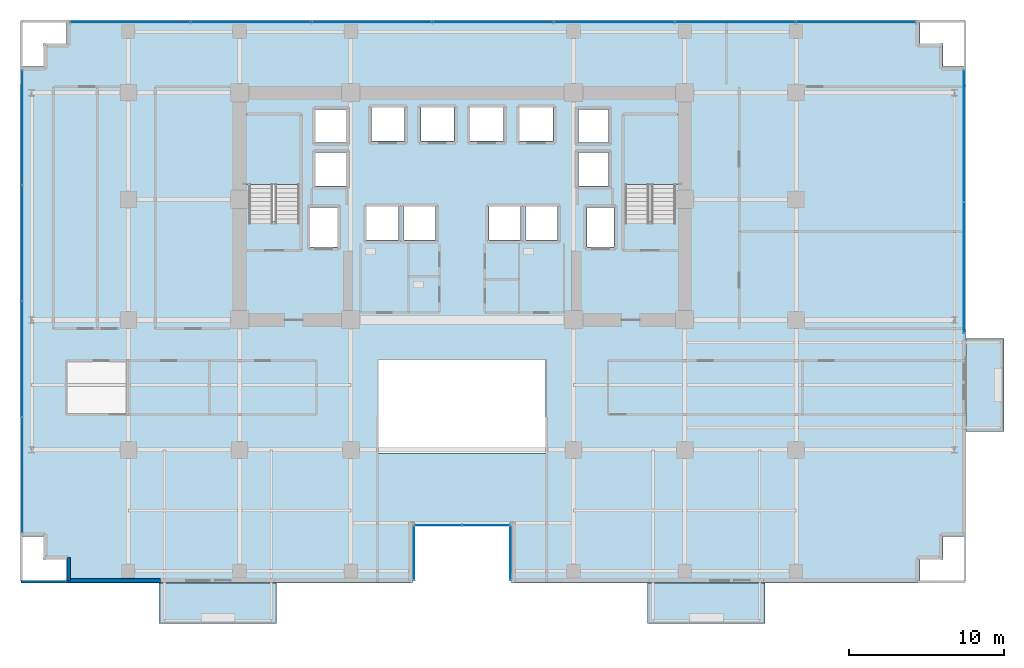
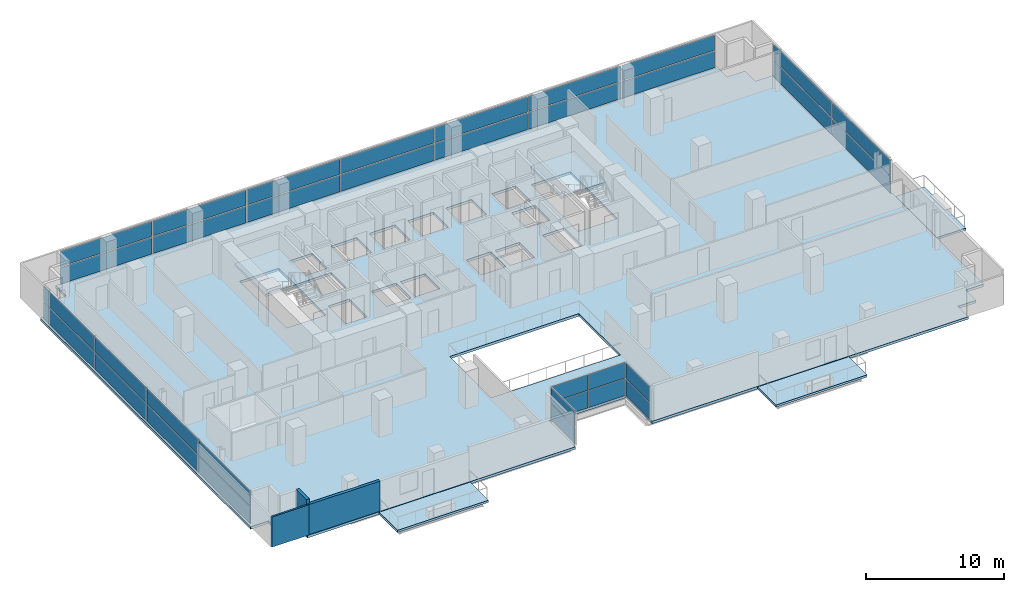
# One storey, part 18 of 26: 34 plates, 6 slabs, 3 walls, 8 elements without a shape of their own.
"""IFC4 building model written with IfcOpenShell, lengths in metres."""

import ifcopenshell
import ifcopenshell.guid

model = None  # the IFC model being written
_history = None  # IfcOwnerHistory: only IFC2X3 demands one
_inside = {}  # id of a spatial element -> (the spatial element, [elements in it])
_under = {}  # id of a project, library or spatial element -> (it, [spatial elements below it])
_declared = {}  # id of a project -> (the project, [libraries it declares])
_typed = {}  # id of a type object -> (the type object, [elements of that type])
_made_of = {}  # id of a material, layer set ... -> (it, [elements and type objects made of it])


def new_model(schema):
    """Start an empty IFC model of exactly this schema.

    Asked for "IFC4X3", IfcOpenShell would pick the latest addendum, in which some entities
    have other attributes; the version numbers below select the first issue.
    IFC2X3 requires an IfcOwnerHistory on every rooted entity: one is made here for all.
    """
    global model, _history
    if schema == "IFC4X3":
        model = ifcopenshell.file(schema_version=(4, 3, 0, 0))
    else:
        model = ifcopenshell.file(schema=schema)
    _inside.clear()
    _under.clear()
    _declared.clear()
    _typed.clear()
    _made_of.clear()
    _history = None
    if model.schema == "IFC2X3":
        org = make("IfcOrganization", Name="unknown")
        user = make(
            "IfcPersonAndOrganization",
            ThePerson=make("IfcPerson", FamilyName="unknown"),
            TheOrganization=org,
        )
        app = make(
            "IfcApplication",
            ApplicationDeveloper=org,
            Version="unknown",
            ApplicationFullName="unknown",
            ApplicationIdentifier="unknown",
        )
        _history = make(
            "IfcOwnerHistory",
            OwningUser=user,
            OwningApplication=app,
            ChangeAction="ADDED",
            CreationDate=0,
        )
    return model


def make(cls, **values):
    """One entity of the class cls with the attributes given. An attribute that is None is left unset."""
    return model.create_entity(
        cls, **{name: value for name, value in values.items() if value is not None}
    )


def rooted(cls, **values):
    """An entity with a GlobalId (a new one), such as an element, a storey or a relation."""
    return make(cls, GlobalId=ifcopenshell.guid.new(), OwnerHistory=_history, **values)


def si_unit(unit_type, name, prefix=None):
    """IfcSIUnit, for example si_unit("LENGTHUNIT", "METRE", prefix="MILLI")."""
    return make("IfcSIUnit", UnitType=unit_type, Prefix=prefix, Name=name)


def assignment(units):
    """IfcUnitAssignment: the units of a project."""
    return None if units is None else make("IfcUnitAssignment", Units=units)


def point(xyz):
    """IfcCartesianPoint."""
    return None if xyz is None else make("IfcCartesianPoint", Coordinates=xyz)


def direction(xyz):
    """IfcDirection."""
    return None if xyz is None else make("IfcDirection", DirectionRatios=xyz)


def frame(location, z_axis=None, x_axis=None):
    """IfcAxis2Placement3D, a coordinate frame: its origin and axes. An axis left out is left unset."""
    return make(
        "IfcAxis2Placement3D",
        Location=point(location),
        Axis=direction(z_axis),
        RefDirection=direction(x_axis),
    )


def frame_2d(location, x_axis=None):
    """IfcAxis2Placement2D, a coordinate frame in the plane: its origin and x axis."""
    return make(
        "IfcAxis2Placement2D", Location=point(location), RefDirection=direction(x_axis)
    )


def origin():
    """The frame at (0, 0, 0) with its axes left unset."""
    return frame((0.0, 0.0, 0.0))


def origin_2d():
    """The frame at (0, 0) in the plane with its x axis left unset."""
    return frame_2d((0.0, 0.0))


def place(relative_to, where):
    """IfcLocalPlacement: puts the frame where relative to a parent placement (None: the world)."""
    return make(
        "IfcLocalPlacement", PlacementRelTo=relative_to, RelativePlacement=where
    )


def context(
    kind, dimensions, precision=None, world=None, true_north=None, identifier=None
):
    """IfcGeometricRepresentationContext, for example the 3D "Model" context."""
    return make(
        "IfcGeometricRepresentationContext",
        ContextIdentifier=identifier,
        ContextType=kind,
        CoordinateSpaceDimension=dimensions,
        Precision=precision,
        WorldCoordinateSystem=world,
        TrueNorth=true_north,
    )


def subcontext(parent, identifier, kind, view, scale=None):
    """IfcGeometricRepresentationSubContext, for example "Body" below "Model"."""
    return make(
        "IfcGeometricRepresentationSubContext",
        ContextIdentifier=identifier,
        ContextType=kind,
        ParentContext=parent,
        TargetScale=scale,
        TargetView=view,
    )


def project(units=None, contexts=None):
    """IfcProject with its units and contexts."""
    return rooted(
        "IfcProject",
        Name="project",
        RepresentationContexts=contexts,
        UnitsInContext=assignment(units),
    )


def spatial(cls, under=None, at=None, **own):
    """A site, building, storey or space (cls), placed at a placement, below another one or the project."""
    s = rooted(cls, ObjectPlacement=at, **own)
    if under is not None:
        _under.setdefault(under.id(), (under, []))[1].append(s)
    return s


def polyline(points):
    """IfcPolyline through the points."""
    return make("IfcPolyline", Points=[point(p) for p in points])


def profile(cls, at=None, kind="AREA", **sizes):
    """A parametric profile (cls). Its sizes go by their IFC names, for example OverallWidth=200.0."""
    return make(cls, ProfileType=kind, Position=at, **sizes)


def rectangle(**sizes):
    """IfcRectangleProfileDef."""
    return profile("IfcRectangleProfileDef", **sizes)


def outline(outer, holes=None, kind="AREA"):
    """IfcArbitraryClosedProfileDef: a profile drawn as a closed curve; with holes, ...WithVoids."""
    if holes is None:
        return make("IfcArbitraryClosedProfileDef", ProfileType=kind, OuterCurve=outer)
    return make(
        "IfcArbitraryProfileDefWithVoids",
        ProfileType=kind,
        OuterCurve=outer,
        InnerCurves=holes,
    )


def extrude(swept, where, along, depth):
    """IfcExtrudedAreaSolid: the profile swept, set in the frame where, extruded along a direction by depth."""
    return make(
        "IfcExtrudedAreaSolid",
        SweptArea=swept,
        Position=where,
        ExtrudedDirection=direction(along),
        Depth=depth,
    )


def shape(context_of_items, identifier, shape_type, items):
    """IfcShapeRepresentation: the items that make up one representation, for example the "Body"."""
    return make(
        "IfcShapeRepresentation",
        ContextOfItems=context_of_items,
        RepresentationIdentifier=identifier,
        RepresentationType=shape_type,
        Items=items,
    )


def source(mapping_origin, context_of_items, identifier, shape_type, items):
    """IfcRepresentationMap: a shape defined once, which mapped items show again and again."""
    return make(
        "IfcRepresentationMap",
        MappingOrigin=mapping_origin,
        MappedRepresentation=shape(context_of_items, identifier, shape_type, items),
    )


def transform(
    local_origin,
    x_axis=None,
    y_axis=None,
    z_axis=None,
    scale=None,
    scale2=None,
    scale3=None,
    uniform=True,
):
    """IfcCartesianTransformationOperator3D, or its non-uniform kind. x_axis, y_axis, z_axis: its Axis1, 2, 3."""
    if uniform:
        return make(
            "IfcCartesianTransformationOperator3D",
            Axis1=direction(x_axis),
            Axis2=direction(y_axis),
            LocalOrigin=point(local_origin),
            Scale=scale,
            Axis3=direction(z_axis),
        )
    return make(
        "IfcCartesianTransformationOperator3DnonUniform",
        Axis1=direction(x_axis),
        Axis2=direction(y_axis),
        LocalOrigin=point(local_origin),
        Scale=scale,
        Axis3=direction(z_axis),
        Scale2=scale2,
        Scale3=scale3,
    )


def mapped(mapping_source, mapping_target):
    """IfcMappedItem: shows the shape of a source again, moved by a transform."""
    return make(
        "IfcMappedItem", MappingSource=mapping_source, MappingTarget=mapping_target
    )


def material(Name=None, Category=None):
    """IfcMaterial."""
    return make("IfcMaterial", Name=Name, Category=Category)


def layer(
    of_material, thickness, ventilated=None, Name=None, Category=None, Priority=None
):
    """IfcMaterialLayer: one layer of a wall or slab, of a material (None: an air gap)."""
    return make(
        "IfcMaterialLayer",
        Material=of_material,
        LayerThickness=thickness,
        IsVentilated=ventilated,
        Name=Name,
        Category=Category,
        Priority=Priority,
    )


def layer_set(layers, Name=None):
    """IfcMaterialLayerSet."""
    return make("IfcMaterialLayerSet", MaterialLayers=layers, LayerSetName=Name)


def made_of(thing, what):
    """Note that an element or type object is made of a material, layer set ...; save() writes the relation."""
    if what is not None:
        _made_of.setdefault(what.id(), (what, []))[1].append(thing)
    return thing


def type_object(cls, material=None, **own):
    """A type object (cls), such as IfcWallType, which elements share."""
    return made_of(rooted(cls, **own), material)


def element(
    cls,
    number,
    at=None,
    inside=None,
    cuts=None,
    type_object=None,
    material=None,
    context=None,
    identifier="Body",
    shape_type=None,
    held_by="IfcProductDefinitionShape",
    body=None,
    shapes=None,
    **own,
):
    """One element of the class cls, such as IfcWall. Its Tag is "e" and its number.

    at: its placement. inside: the storey or other place that contains it. cuts: it is an
    opening in that element (IfcRelVoidsElement). A single representation is given by context,
    identifier, shape_type and body (its items); several are given by shapes. held_by: the class
    of the entity that holds the representations. save() writes the other relations.
    """
    e = rooted(cls, Tag="e%d" % number, ObjectPlacement=at, **own)
    if body is not None:
        shapes = [shape(context, identifier, shape_type, body)]
    if shapes is not None:
        e.Representation = make(held_by, Representations=shapes)
    if inside is not None:
        _inside.setdefault(inside.id(), (inside, []))[1].append(e)
    if cuts is not None:
        rooted(
            "IfcRelVoidsElement", RelatingBuildingElement=cuts, RelatedOpeningElement=e
        )
    if type_object is not None:
        _typed.setdefault(type_object.id(), (type_object, []))[1].append(e)
    return made_of(e, material)


def aggregate(whole, parts):
    """IfcRelAggregates: a whole, such as a stair, and the parts it consists of."""
    return rooted("IfcRelAggregates", RelatingObject=whole, RelatedObjects=parts)


def save(model, path):
    """Write the relations noted so far, then the file.

    IfcRelAggregates (storeys below a building ...), IfcRelContainedInSpatialStructure (elements
    in a storey), IfcRelDefinesByType, IfcRelAssociatesMaterial and IfcRelDeclares: one each for
    every whole, place, type object, material and project.
    """
    for whole, parts in _under.values():
        aggregate(whole, parts)
    for where, things in _inside.values():
        rooted(
            "IfcRelContainedInSpatialStructure",
            RelatedElements=things,
            RelatingStructure=where,
        )
    for kind, things in _typed.values():
        rooted("IfcRelDefinesByType", RelatedObjects=things, RelatingType=kind)
    for what, things in _made_of.values():
        rooted("IfcRelAssociatesMaterial", RelatedObjects=things, RelatingMaterial=what)
    for by, libraries in _declared.values():
        rooted("IfcRelDeclares", RelatingContext=by, RelatedDefinitions=libraries)
    model.write(path)


model = new_model("IFC4")

# Units and contexts
model_context = context("Model", 3, precision=1e-05, world=origin(), true_north=direction((0.0, 1.0)))
body_context = subcontext(model_context, "Body", "Model", "MODEL_VIEW")
ifc_project = project(units=[si_unit("LENGTHUNIT", "METRE"), si_unit("AREAUNIT", "SQUARE_METRE"), si_unit("VOLUMEUNIT", "CUBIC_METRE"), si_unit("PLANEANGLEUNIT", "RADIAN"), si_unit("MASSUNIT", "GRAM", prefix="KILO")], contexts=[model_context])

# Site, building, storey
site_placement = place(None, origin())
site = spatial("IfcSite", under=ifc_project, at=site_placement, CompositionType="ELEMENT")
building_placement = place(site_placement, origin())
building = spatial("IfcBuilding", under=site, at=building_placement, Name="Zarnakvel Exchange Tower", CompositionType="ELEMENT")
storey_placement = place(building_placement, frame((0.0, 0.0, 63.699951171875)))
storey = spatial("IfcBuildingStorey", under=building, at=storey_placement, Name="L17", CompositionType="ELEMENT", Elevation=63.699951171875)

# Stair, slab
ifc_material_1 = material(Name="Concrete C40/50", Category="concrete")
stair_type = type_object("IfcStairType", Name="STR-01", PredefinedType="HALF_TURN_STAIR", material=ifc_material_1)
stair_1_placement = place(storey_placement, origin())
stair_1 = element("IfcStair", 1, at=stair_1_placement, inside=storey, type_object=stair_type, Name="L17 Protected Core Exit Stair ST-01", PredefinedType="HALF_TURN_STAIR")
ifc_layer_1 = layer(ifc_material_1, 0.199951171875)
ifc_layer_set_1 = layer_set([ifc_layer_1], Name="Concrete C40/50")
slab_type_1 = type_object("IfcSlabType", Name="LDG-01", PredefinedType="LANDING", material=ifc_layer_set_1)
slab_1_placement = place(storey_placement, frame((0.0, 0.0, 1.449951171875)))
slab_1 = element("IfcSlab", 2, at=slab_1_placement, type_object=slab_type_1, Name="ST-01 landing 1", PredefinedType="LANDING", context=body_context, shape_type="SweptSolid", body=[
    extrude(outline(polyline([(-14.18994140625, 7.570068359375), (-10.4599609375, 7.570068359375), (-10.4599609375, 12.080078125), (-14.18994140625, 12.080078125), (-14.18994140625, 7.570068359375)])), origin(), (0.0, 0.0, 1.0), 0.2001953125),
])
aggregate(stair_1, [slab_1])

stair_2_placement = place(storey_placement, origin())
stair_2 = element("IfcStair", 3, at=stair_2_placement, inside=storey, type_object=stair_type, Name="L17 Protected Core Exit Stair ST-02", PredefinedType="HALF_TURN_STAIR")
slab_2_placement = place(storey_placement, frame((0.0, 0.0, 1.449951171875)))
slab_2 = element("IfcSlab", 4, at=slab_2_placement, type_object=slab_type_1, Name="ST-02 landing 1", PredefinedType="LANDING", context=body_context, shape_type="SweptSolid", body=[
    extrude(outline(polyline([(10.4599609375, 7.570068359375), (14.18994140625, 7.570068359375), (14.18994140625, 12.080078125), (10.4599609375, 12.080078125), (10.4599609375, 7.570068359375)])), origin(), (0.0, 0.0, 1.0), 0.2001953125),
])
aggregate(stair_2, [slab_2])

# Slabs
ifc_layer_2 = layer(ifc_material_1, 0.22509765625)
ifc_layer_set_2 = layer_set([ifc_layer_2], Name="Concrete C40/50")
slab_type_2 = type_object("IfcSlabType", Name="SL-04", PredefinedType="FLOOR", material=ifc_layer_set_2)
slab_3_placement = place(storey_placement, frame((0.0, 0.0, -0.224853515625)))
element("IfcSlab", 5, at=slab_3_placement, inside=storey, type_object=slab_type_2, Name="L17 Primary Structural Floor Slab", PredefinedType="FLOOR", context=body_context, shape_type="SweptSolid", body=[
    extrude(outline(polyline([(-28.60009765625, -15.199951171875), (-27.10009765625, -15.199951171875), (-27.10009765625, -16.699951171875), (-25.60009765625, -16.699951171875), (-25.60009765625, -18.199951171875), (-3.199951171875, -18.199951171875), (-3.199951171875, -14.39990234375), (3.199951171875, -14.39990234375), (3.199951171875, -18.199951171875), (29.60009765625, -18.199951171875), (29.60009765625, -16.699951171875), (31.10009765625, -16.699951171875), (31.10009765625, -15.199951171875), (32.60009765625, -15.199951171875), (32.60009765625, 15.199951171875), (31.10009765625, 15.199951171875), (31.10009765625, 16.699951171875), (29.60009765625, 16.699951171875), (29.60009765625, 18.199951171875), (-25.60009765625, 18.199951171875), (-25.60009765625, 16.699951171875), (-27.10009765625, 16.699951171875), (-27.10009765625, 15.199951171875), (-28.60009765625, 15.199951171875), (-28.60009765625, -15.199951171875)]), holes=[polyline([(-5.39990234375, -9.800048828125), (5.39990234375, -9.800048828125), (5.39990234375, -3.800048828125), (-5.39990234375, -3.800048828125), (-5.39990234375, -9.800048828125)]), polyline([(-13.800048828125, 5.2099609375), (-10.5400390625, 5.2099609375), (-10.5400390625, 12.0), (-13.800048828125, 12.0), (-13.800048828125, 5.2099609375)]), polyline([(10.5400390625, 5.2099609375), (13.800048828125, 5.2099609375), (13.800048828125, 12.0), (10.5400390625, 12.0), (10.5400390625, 5.2099609375)]), polyline([(-9.830078125, 3.52001953125), (-8.070068359375, 3.52001953125), (-8.070068359375, 6.080078125), (-9.830078125, 6.080078125), (-9.830078125, 3.52001953125)]), polyline([(8.070068359375, 3.52001953125), (9.830078125, 3.52001953125), (9.830078125, 6.080078125), (8.070068359375, 6.080078125), (8.070068359375, 3.52001953125)]), polyline([(-5.8798828125, 10.3701171875), (-3.719970703125, 10.3701171875), (-3.719970703125, 12.530029296875), (-5.8798828125, 12.530029296875), (-5.8798828125, 10.3701171875)]), polyline([(-2.679931640625, 10.3701171875), (-0.52001953125, 10.3701171875), (-0.52001953125, 12.530029296875), (-2.679931640625, 12.530029296875), (-2.679931640625, 10.3701171875)]), polyline([(0.52001953125, 10.3701171875), (2.679931640625, 10.3701171875), (2.679931640625, 12.530029296875), (0.52001953125, 12.530029296875), (0.52001953125, 10.3701171875)]), polyline([(3.719970703125, 10.3701171875), (5.8798828125, 10.3701171875), (5.8798828125, 12.530029296875), (3.719970703125, 12.530029296875), (3.719970703125, 10.3701171875)]), polyline([(-6.179931640625, 3.969970703125), (-4.1201171875, 3.969970703125), (-4.1201171875, 6.1298828125), (-6.179931640625, 6.1298828125), (-6.179931640625, 3.969970703125)]), polyline([(-3.780029296875, 3.969970703125), (-1.719970703125, 3.969970703125), (-1.719970703125, 6.1298828125), (-3.780029296875, 6.1298828125), (-3.780029296875, 3.969970703125)]), polyline([(1.719970703125, 3.969970703125), (3.780029296875, 3.969970703125), (3.780029296875, 6.1298828125), (1.719970703125, 6.1298828125), (1.719970703125, 3.969970703125)]), polyline([(4.1201171875, 3.969970703125), (6.179931640625, 3.969970703125), (6.179931640625, 6.1298828125), (4.1201171875, 6.1298828125), (4.1201171875, 3.969970703125)]), polyline([(-9.47998046875, 7.469970703125), (-7.52001953125, 7.469970703125), (-7.52001953125, 9.6298828125), (-9.47998046875, 9.6298828125), (-9.47998046875, 7.469970703125)]), polyline([(-9.47998046875, 10.27001953125), (-7.52001953125, 10.27001953125), (-7.52001953125, 12.429931640625), (-9.47998046875, 12.429931640625), (-9.47998046875, 10.27001953125)]), polyline([(7.52001953125, 7.469970703125), (9.47998046875, 7.469970703125), (9.47998046875, 9.6298828125), (7.52001953125, 9.6298828125), (7.52001953125, 7.469970703125)]), polyline([(7.52001953125, 10.27001953125), (9.47998046875, 10.27001953125), (9.47998046875, 12.429931640625), (7.52001953125, 12.429931640625), (7.52001953125, 10.27001953125)])]), origin(), (0.0, 0.0, 1.0), 0.224853515625),
])
ifc_layer_3 = layer(ifc_material_1, 0.18994140625)
ifc_layer_set_3 = layer_set([ifc_layer_3], Name="Concrete C40/50")
slab_type_3 = type_object("IfcSlabType", Name="SL-08", PredefinedType="USERDEFINED", material=ifc_layer_set_3)
slab_4_placement = place(storey_placement, frame((0.0, 0.0, -0.224853515625)))
element("IfcSlab", 6, at=slab_4_placement, inside=storey, type_object=slab_type_3, Name="L17 Planted Loggia Balcony Slab BAL-L17-SW", ObjectType="BALCONY", PredefinedType="USERDEFINED", context=body_context, shape_type="SweptSolid", body=[
    extrude(outline(polyline([(-19.60009765625, -20.85009765625), (-12.0, -20.85009765625), (-12.0, -18.199951171875), (-19.60009765625, -18.199951171875), (-19.60009765625, -20.85009765625)])), origin(), (0.0, 0.0, 1.0), 0.18994140625),
])
slab_5_placement = place(storey_placement, frame((0.0, 0.0, -0.224853515625)))
element("IfcSlab", 7, at=slab_5_placement, inside=storey, type_object=slab_type_3, Name="L17 Planted Loggia Balcony Slab BAL-L17-SE", ObjectType="BALCONY", PredefinedType="USERDEFINED", context=body_context, shape_type="SweptSolid", body=[
    extrude(outline(polyline([(12.0, -20.85009765625), (19.60009765625, -20.85009765625), (19.60009765625, -18.199951171875), (12.0, -18.199951171875), (12.0, -20.85009765625)])), origin(), (0.0, 0.0, 1.0), 0.18994140625),
])
slab_6_placement = place(storey_placement, frame((0.0, 0.0, -0.224853515625)))
element("IfcSlab", 8, at=slab_6_placement, inside=storey, type_object=slab_type_3, Name="L17 Planted Loggia Balcony Slab BAL-L17-E", ObjectType="BALCONY", PredefinedType="USERDEFINED", context=body_context, shape_type="SweptSolid", body=[
    extrude(outline(polyline([(32.60009765625, -8.39990234375), (35.050048828125, -8.39990234375), (35.050048828125, -2.39990234375), (32.60009765625, -2.39990234375), (32.60009765625, -8.39990234375)])), origin(), (0.0, 0.0, 1.0), 0.18994140625),
])

# Curtain wall, plate
ifc_material_2 = material(Name="Architectural Bronze Anodised Aluminium", Category="aluminium")
ifc_layer_4 = layer(ifc_material_2, 0.179931640625)
ifc_layer_set_4 = layer_set([ifc_layer_4], Name="Architectural Bronze Anodised Aluminium")
curtain_wall_type_1 = type_object("IfcCurtainWallType", Name="CW-05", PredefinedType="NOTDEFINED", material=ifc_layer_set_4)
curtain_wall_1_placement = place(storey_placement, origin())
curtain_wall_1 = element("IfcCurtainWall", 9, at=curtain_wall_1_placement, inside=storey, type_object=curtain_wall_type_1, Name="L17 Curtain Wall CW-L17-SLW (CW-05)", PredefinedType="NOTDEFINED")
ifc_material_3 = material(Name="Double Low-E Laminated Vision Glass", Category="glass")
ifc_layer_5 = layer(ifc_material_3, 0.02587890625)
ifc_layer_set_5 = layer_set([ifc_layer_5], Name="Double Low-E Laminated Vision Glass")
plate_type_1 = type_object("IfcPlateType", Name="CWP-05", PredefinedType="CURTAIN_PANEL", material=ifc_layer_set_5)
shared_shape_1 = source(origin(), body_context, "Body", "SweptSolid", [
    extrude(rectangle(XDim=3.4599609375, YDim=0.02587890625, at=origin_2d()), origin(), (0.0, 0.0, 1.0), 1.483642578125),
])
plate_1_placement = place(storey_placement, frame((-3.1201171875, -16.280029296875, 0.06982421875), z_axis=(0.0, 0.0, 1.0), x_axis=(0.0, 1.0, 0.0)))
plate_1 = element("IfcPlate", 10, at=plate_1_placement, type_object=plate_type_1, Name="CW-05 panel 1.1", PredefinedType="CURTAIN_PANEL", context=body_context, shape_type="MappedRepresentation", body=[
    mapped(shared_shape_1, transform((0.0, 0.0, 0.0), x_axis=(1.0, 0.0, 0.0), y_axis=(0.0, 1.0, 0.0), z_axis=(0.0, 0.0, 1.0), scale=1.0)),
])

curtain_wall_2_placement = place(storey_placement, origin())
curtain_wall_2 = element("IfcCurtainWall", 11, at=curtain_wall_2_placement, inside=storey, type_object=curtain_wall_type_1, Name="L17 Curtain Wall CW-L17-SLE (CW-05)", PredefinedType="NOTDEFINED")
plate_2_placement = place(storey_placement, frame((3.1201171875, -16.280029296875, 0.06982421875), z_axis=(0.0, 0.0, 1.0), x_axis=(0.0, -1.0, 0.0)))
plate_2 = element("IfcPlate", 12, at=plate_2_placement, type_object=plate_type_1, Name="CW-05 panel 1.1", PredefinedType="CURTAIN_PANEL", context=body_context, shape_type="MappedRepresentation", body=[
    mapped(shared_shape_1, transform((0.0, 0.0, 0.0), x_axis=(1.0, 0.0, 0.0), y_axis=(0.0, 1.0, 0.0), z_axis=(0.0, 0.0, 1.0), scale=1.0)),
])

# Plate
shared_shape_2 = source(origin(), body_context, "Body", "SweptSolid", [
    extrude(rectangle(XDim=3.4599609375, YDim=0.02587890625, at=origin_2d()), origin(), (0.0, 0.0, 1.0), 1.361328125),
])
plate_3_placement = place(storey_placement, frame((-3.1201171875, -16.280029296875, 1.623779296875), z_axis=(0.0, 0.0, 1.0), x_axis=(0.0, 1.0, 0.0)))
plate_3 = element("IfcPlate", 13, at=plate_3_placement, type_object=plate_type_1, Name="CW-05 panel 1.2", PredefinedType="CURTAIN_PANEL", context=body_context, shape_type="MappedRepresentation", body=[
    mapped(shared_shape_2, transform((0.0, 0.0, 0.0), x_axis=(1.0, 0.0, 0.0), y_axis=(0.0, 1.0, 0.0), z_axis=(0.0, 0.0, 1.0), scale=1.0)),
])

aggregate(curtain_wall_1, [plate_1, plate_3])

plate_4_placement = place(storey_placement, frame((3.1201171875, -16.280029296875, 1.623779296875), z_axis=(0.0, 0.0, 1.0), x_axis=(0.0, -1.0, 0.0)))
plate_4 = element("IfcPlate", 14, at=plate_4_placement, type_object=plate_type_1, Name="CW-05 panel 1.2", PredefinedType="CURTAIN_PANEL", context=body_context, shape_type="MappedRepresentation", body=[
    mapped(shared_shape_2, transform((0.0, 0.0, 0.0), x_axis=(1.0, 0.0, 0.0), y_axis=(0.0, 1.0, 0.0), z_axis=(0.0, 0.0, 1.0), scale=1.0)),
])

aggregate(curtain_wall_2, [plate_2, plate_4])

# Curtain wall, plates
curtain_wall_3_placement = place(storey_placement, origin())
curtain_wall_3 = element("IfcCurtainWall", 15, at=curtain_wall_3_placement, inside=storey, type_object=curtain_wall_type_1, Name="L17 Curtain Wall CW-L17-SLB (CW-05)", PredefinedType="NOTDEFINED")
shared_shape_3 = source(origin(), body_context, "Body", "SweptSolid", [
    extrude(rectangle(XDim=3.014892578125, YDim=0.02587890625, at=origin_2d()), origin(), (0.0, 0.0, 1.0), 1.483642578125),
])
plate_5_placement = place(storey_placement, frame((-1.54248046875, -14.47998046875, 0.06982421875), z_axis=(0.0, 0.0, 1.0), x_axis=(1.0, 0.0, 0.0)))
plate_5 = element("IfcPlate", 16, at=plate_5_placement, type_object=plate_type_1, Name="CW-05 panel 1.1", PredefinedType="CURTAIN_PANEL", context=body_context, shape_type="MappedRepresentation", body=[
    mapped(shared_shape_3, transform((0.0, 0.0, 0.0), x_axis=(1.0, 0.0, 0.0), y_axis=(0.0, 1.0, 0.0), z_axis=(0.0, 0.0, 1.0), scale=1.0)),
])
plate_6_placement = place(storey_placement, frame((1.54248046875, -14.47998046875, 0.06982421875), z_axis=(0.0, 0.0, 1.0), x_axis=(1.0, 0.0, 0.0)))
plate_6 = element("IfcPlate", 17, at=plate_6_placement, type_object=plate_type_1, Name="CW-05 panel 2.1", PredefinedType="CURTAIN_PANEL", context=body_context, shape_type="MappedRepresentation", body=[
    mapped(shared_shape_3, transform((0.0, 0.0, 0.0), x_axis=(1.0, 0.0, 0.0), y_axis=(0.0, 1.0, 0.0), z_axis=(0.0, 0.0, 1.0), scale=1.0)),
])
shared_shape_4 = source(origin(), body_context, "Body", "SweptSolid", [
    extrude(rectangle(XDim=3.014892578125, YDim=0.02587890625, at=origin_2d()), origin(), (0.0, 0.0, 1.0), 1.361328125),
])
plate_7_placement = place(storey_placement, frame((-1.54248046875, -14.47998046875, 1.623779296875), z_axis=(0.0, 0.0, 1.0), x_axis=(1.0, 0.0, 0.0)))
plate_7 = element("IfcPlate", 18, at=plate_7_placement, type_object=plate_type_1, Name="CW-05 panel 1.2", PredefinedType="CURTAIN_PANEL", context=body_context, shape_type="MappedRepresentation", body=[
    mapped(shared_shape_4, transform((0.0, 0.0, 0.0), x_axis=(1.0, 0.0, 0.0), y_axis=(0.0, 1.0, 0.0), z_axis=(0.0, 0.0, 1.0), scale=1.0)),
])
plate_8_placement = place(storey_placement, frame((1.54248046875, -14.47998046875, 1.623779296875), z_axis=(0.0, 0.0, 1.0), x_axis=(1.0, 0.0, 0.0)))
plate_8 = element("IfcPlate", 19, at=plate_8_placement, type_object=plate_type_1, Name="CW-05 panel 2.2", PredefinedType="CURTAIN_PANEL", context=body_context, shape_type="MappedRepresentation", body=[
    mapped(shared_shape_4, transform((0.0, 0.0, 0.0), x_axis=(1.0, 0.0, 0.0), y_axis=(0.0, 1.0, 0.0), z_axis=(0.0, 0.0, 1.0), scale=1.0)),
])
aggregate(curtain_wall_3, [plate_5, plate_7, plate_6, plate_8])

ifc_layer_6 = layer(ifc_material_2, 0.239990234375)
ifc_layer_set_6 = layer_set([ifc_layer_6], Name="Architectural Bronze Anodised Aluminium")
curtain_wall_type_2 = type_object("IfcCurtainWallType", Name="CW-02", PredefinedType="NOTDEFINED", material=ifc_layer_set_6)
curtain_wall_4_placement = place(storey_placement, origin())
curtain_wall_4 = element("IfcCurtainWall", 20, at=curtain_wall_4_placement, inside=storey, type_object=curtain_wall_type_2, Name="L17 Curtain Wall CW-L17-N1 (CW-02)", PredefinedType="NOTDEFINED")
ifc_layer_7 = layer(ifc_material_3, 0.031982421875)
ifc_layer_set_7 = layer_set([ifc_layer_7], Name="Double Low-E Laminated Vision Glass")
plate_type_2 = type_object("IfcPlateType", Name="CWP-02", PredefinedType="CURTAIN_PANEL", material=ifc_layer_set_7)
shared_shape_5 = source(origin(), body_context, "Body", "SweptSolid", [
    extrude(rectangle(XDim=7.693603515625, YDim=0.031982421875, at=origin_2d()), origin(), (0.0, 0.0, 1.0), 1.461181640625),
])
plate_9_placement = place(storey_placement, frame((-21.463134765625, 18.06005859375, 0.0849609375), z_axis=(0.0, 0.0, 1.0), x_axis=(1.0, 0.0, 0.0)))
plate_9 = element("IfcPlate", 21, at=plate_9_placement, type_object=plate_type_2, Name="CW-02 panel 1.1", PredefinedType="CURTAIN_PANEL", context=body_context, shape_type="MappedRepresentation", body=[
    mapped(shared_shape_5, transform((0.0, 0.0, 0.0), x_axis=(1.0, 0.0, 0.0), y_axis=(0.0, 1.0, 0.0), z_axis=(0.0, 0.0, 1.0), scale=1.0)),
])
plate_10_placement = place(storey_placement, frame((25.463134765625, 18.06005859375, 0.0849609375), z_axis=(0.0, 0.0, 1.0), x_axis=(1.0, 0.0, 0.0)))
plate_10 = element("IfcPlate", 22, at=plate_10_placement, type_object=plate_type_2, Name="CW-02 panel 7.1", PredefinedType="CURTAIN_PANEL", context=body_context, shape_type="MappedRepresentation", body=[
    mapped(shared_shape_5, transform((0.0, 0.0, 0.0), x_axis=(1.0, 0.0, 0.0), y_axis=(0.0, 1.0, 0.0), z_axis=(0.0, 0.0, 1.0), scale=1.0)),
])
shared_shape_6 = source(origin(), body_context, "Body", "SweptSolid", [
    extrude(rectangle(XDim=7.693603515625, YDim=0.031982421875, at=origin_2d()), origin(), (0.0, 0.0, 1.0), 1.3388671875),
])
plate_11_placement = place(storey_placement, frame((-21.463134765625, 18.06005859375, 1.631103515625), z_axis=(0.0, 0.0, 1.0), x_axis=(1.0, 0.0, 0.0)))
plate_11 = element("IfcPlate", 23, at=plate_11_placement, type_object=plate_type_2, Name="CW-02 panel 1.2", PredefinedType="CURTAIN_PANEL", context=body_context, shape_type="MappedRepresentation", body=[
    mapped(shared_shape_6, transform((0.0, 0.0, 0.0), x_axis=(1.0, 0.0, 0.0), y_axis=(0.0, 1.0, 0.0), z_axis=(0.0, 0.0, 1.0), scale=1.0)),
])
plate_12_placement = place(storey_placement, frame((25.463134765625, 18.06005859375, 1.631103515625), z_axis=(0.0, 0.0, 1.0), x_axis=(1.0, 0.0, 0.0)))
plate_12 = element("IfcPlate", 24, at=plate_12_placement, type_object=plate_type_2, Name="CW-02 panel 7.2", PredefinedType="CURTAIN_PANEL", context=body_context, shape_type="MappedRepresentation", body=[
    mapped(shared_shape_6, transform((0.0, 0.0, 0.0), x_axis=(1.0, 0.0, 0.0), y_axis=(0.0, 1.0, 0.0), z_axis=(0.0, 0.0, 1.0), scale=1.0)),
])
shared_shape_7 = source(origin(), body_context, "Body", "SweptSolid", [
    extrude(rectangle(XDim=7.738525390625, YDim=0.031982421875, at=origin_2d()), origin(), (0.0, 0.0, 1.0), 1.461181640625),
])
plate_13_placement = place(storey_placement, frame((-13.6572265625, 18.06005859375, 0.0849609375), z_axis=(0.0, 0.0, 1.0), x_axis=(1.0, 0.0, 0.0)))
plate_13 = element("IfcPlate", 25, at=plate_13_placement, type_object=plate_type_2, Name="CW-02 panel 2.1", PredefinedType="CURTAIN_PANEL", context=body_context, shape_type="MappedRepresentation", body=[
    mapped(shared_shape_7, transform((0.0, 0.0, 0.0), x_axis=(1.0, 0.0, 0.0), y_axis=(0.0, 1.0, 0.0), z_axis=(0.0, 0.0, 1.0), scale=1.0)),
])
plate_14_placement = place(storey_placement, frame((-5.82861328125, 18.06005859375, 0.0849609375), z_axis=(0.0, 0.0, 1.0), x_axis=(1.0, 0.0, 0.0)))
plate_14 = element("IfcPlate", 26, at=plate_14_placement, type_object=plate_type_2, Name="CW-02 panel 3.1", PredefinedType="CURTAIN_PANEL", context=body_context, shape_type="MappedRepresentation", body=[
    mapped(shared_shape_7, transform((0.0, 0.0, 0.0), x_axis=(1.0, 0.0, 0.0), y_axis=(0.0, 1.0, 0.0), z_axis=(0.0, 0.0, 1.0), scale=1.0)),
])
plate_15_placement = place(storey_placement, frame((2.0, 18.06005859375, 0.0849609375), z_axis=(0.0, 0.0, 1.0), x_axis=(1.0, 0.0, 0.0)))
plate_15 = element("IfcPlate", 27, at=plate_15_placement, type_object=plate_type_2, Name="CW-02 panel 4.1", PredefinedType="CURTAIN_PANEL", context=body_context, shape_type="MappedRepresentation", body=[
    mapped(shared_shape_7, transform((0.0, 0.0, 0.0), x_axis=(1.0, 0.0, 0.0), y_axis=(0.0, 1.0, 0.0), z_axis=(0.0, 0.0, 1.0), scale=1.0)),
])
plate_16_placement = place(storey_placement, frame((9.82861328125, 18.06005859375, 0.0849609375), z_axis=(0.0, 0.0, 1.0), x_axis=(1.0, 0.0, 0.0)))
plate_16 = element("IfcPlate", 28, at=plate_16_placement, type_object=plate_type_2, Name="CW-02 panel 5.1", PredefinedType="CURTAIN_PANEL", context=body_context, shape_type="MappedRepresentation", body=[
    mapped(shared_shape_7, transform((0.0, 0.0, 0.0), x_axis=(1.0, 0.0, 0.0), y_axis=(0.0, 1.0, 0.0), z_axis=(0.0, 0.0, 1.0), scale=1.0)),
])
plate_17_placement = place(storey_placement, frame((17.6572265625, 18.06005859375, 0.0849609375), z_axis=(0.0, 0.0, 1.0), x_axis=(1.0, 0.0, 0.0)))
plate_17 = element("IfcPlate", 29, at=plate_17_placement, type_object=plate_type_2, Name="CW-02 panel 6.1", PredefinedType="CURTAIN_PANEL", context=body_context, shape_type="MappedRepresentation", body=[
    mapped(shared_shape_7, transform((0.0, 0.0, 0.0), x_axis=(1.0, 0.0, 0.0), y_axis=(0.0, 1.0, 0.0), z_axis=(0.0, 0.0, 1.0), scale=1.0)),
])
shared_shape_8 = source(origin(), body_context, "Body", "SweptSolid", [
    extrude(rectangle(XDim=7.738525390625, YDim=0.031982421875, at=origin_2d()), origin(), (0.0, 0.0, 1.0), 1.3388671875),
])
plate_18_placement = place(storey_placement, frame((-13.6572265625, 18.06005859375, 1.631103515625), z_axis=(0.0, 0.0, 1.0), x_axis=(1.0, 0.0, 0.0)))
plate_18 = element("IfcPlate", 30, at=plate_18_placement, type_object=plate_type_2, Name="CW-02 panel 2.2", PredefinedType="CURTAIN_PANEL", context=body_context, shape_type="MappedRepresentation", body=[
    mapped(shared_shape_8, transform((0.0, 0.0, 0.0), x_axis=(1.0, 0.0, 0.0), y_axis=(0.0, 1.0, 0.0), z_axis=(0.0, 0.0, 1.0), scale=1.0)),
])
plate_19_placement = place(storey_placement, frame((-5.82861328125, 18.06005859375, 1.631103515625), z_axis=(0.0, 0.0, 1.0), x_axis=(1.0, 0.0, 0.0)))
plate_19 = element("IfcPlate", 31, at=plate_19_placement, type_object=plate_type_2, Name="CW-02 panel 3.2", PredefinedType="CURTAIN_PANEL", context=body_context, shape_type="MappedRepresentation", body=[
    mapped(shared_shape_8, transform((0.0, 0.0, 0.0), x_axis=(1.0, 0.0, 0.0), y_axis=(0.0, 1.0, 0.0), z_axis=(0.0, 0.0, 1.0), scale=1.0)),
])
plate_20_placement = place(storey_placement, frame((2.0, 18.06005859375, 1.631103515625), z_axis=(0.0, 0.0, 1.0), x_axis=(1.0, 0.0, 0.0)))
plate_20 = element("IfcPlate", 32, at=plate_20_placement, type_object=plate_type_2, Name="CW-02 panel 4.2", PredefinedType="CURTAIN_PANEL", context=body_context, shape_type="MappedRepresentation", body=[
    mapped(shared_shape_8, transform((0.0, 0.0, 0.0), x_axis=(1.0, 0.0, 0.0), y_axis=(0.0, 1.0, 0.0), z_axis=(0.0, 0.0, 1.0), scale=1.0)),
])
plate_21_placement = place(storey_placement, frame((9.82861328125, 18.06005859375, 1.631103515625), z_axis=(0.0, 0.0, 1.0), x_axis=(1.0, 0.0, 0.0)))
plate_21 = element("IfcPlate", 33, at=plate_21_placement, type_object=plate_type_2, Name="CW-02 panel 5.2", PredefinedType="CURTAIN_PANEL", context=body_context, shape_type="MappedRepresentation", body=[
    mapped(shared_shape_8, transform((0.0, 0.0, 0.0), x_axis=(1.0, 0.0, 0.0), y_axis=(0.0, 1.0, 0.0), z_axis=(0.0, 0.0, 1.0), scale=1.0)),
])
plate_22_placement = place(storey_placement, frame((17.6572265625, 18.06005859375, 1.631103515625), z_axis=(0.0, 0.0, 1.0), x_axis=(1.0, 0.0, 0.0)))
plate_22 = element("IfcPlate", 34, at=plate_22_placement, type_object=plate_type_2, Name="CW-02 panel 6.2", PredefinedType="CURTAIN_PANEL", context=body_context, shape_type="MappedRepresentation", body=[
    mapped(shared_shape_8, transform((0.0, 0.0, 0.0), x_axis=(1.0, 0.0, 0.0), y_axis=(0.0, 1.0, 0.0), z_axis=(0.0, 0.0, 1.0), scale=1.0)),
])
aggregate(curtain_wall_4, [plate_9, plate_11, plate_13, plate_18, plate_14, plate_19, plate_15, plate_20, plate_16, plate_21, plate_17, plate_22, plate_10, plate_12])

ifc_layer_8 = layer(ifc_material_2, 0.199951171875)
ifc_layer_set_8 = layer_set([ifc_layer_8], Name="Architectural Bronze Anodised Aluminium")
curtain_wall_type_3 = type_object("IfcCurtainWallType", Name="CW-04", PredefinedType="NOTDEFINED", material=ifc_layer_set_8)
curtain_wall_5_placement = place(storey_placement, origin())
curtain_wall_5 = element("IfcCurtainWall", 35, at=curtain_wall_5_placement, inside=storey, type_object=curtain_wall_type_3, Name="L17 Curtain Wall CW-L17-EN (CW-04)", PredefinedType="NOTDEFINED")
ifc_layer_9 = layer(ifc_material_3, 0.028076171875)
ifc_layer_set_9 = layer_set([ifc_layer_9], Name="Double Low-E Laminated Vision Glass")
plate_type_3 = type_object("IfcPlateType", Name="CWP-04", PredefinedType="CURTAIN_PANEL", material=ifc_layer_set_9)
shared_shape_9 = source(origin(), body_context, "Body", "SweptSolid", [
    extrude(rectangle(XDim=8.4375, YDim=0.028076171875, at=origin_2d()), origin(), (0.0, 0.0, 1.0), 1.47607421875),
])
plate_23_placement = place(storey_placement, frame((32.4599609375, 2.19384765625, 0.074951171875), z_axis=(0.0, 0.0, 1.0), x_axis=(0.0, 1.0, 0.0)))
plate_23 = element("IfcPlate", 36, at=plate_23_placement, type_object=plate_type_3, Name="CW-04 panel 1.1", PredefinedType="CURTAIN_PANEL", context=body_context, shape_type="MappedRepresentation", body=[
    mapped(shared_shape_9, transform((0.0, 0.0, 0.0), x_axis=(1.0, 0.0, 0.0), y_axis=(0.0, 1.0, 0.0), z_axis=(0.0, 0.0, 1.0), scale=1.0)),
])
plate_24_placement = place(storey_placement, frame((32.4599609375, 10.706298828125, 0.074951171875), z_axis=(0.0, 0.0, 1.0), x_axis=(0.0, 1.0, 0.0)))
plate_24 = element("IfcPlate", 37, at=plate_24_placement, type_object=plate_type_3, Name="CW-04 panel 2.1", PredefinedType="CURTAIN_PANEL", context=body_context, shape_type="MappedRepresentation", body=[
    mapped(shared_shape_9, transform((0.0, 0.0, 0.0), x_axis=(1.0, 0.0, 0.0), y_axis=(0.0, 1.0, 0.0), z_axis=(0.0, 0.0, 1.0), scale=1.0)),
])
shared_shape_10 = source(origin(), body_context, "Body", "SweptSolid", [
    extrude(rectangle(XDim=8.4375, YDim=0.028076171875, at=origin_2d()), origin(), (0.0, 0.0, 1.0), 1.35400390625),
])
plate_25_placement = place(storey_placement, frame((32.4599609375, 2.19384765625, 1.6259765625), z_axis=(0.0, 0.0, 1.0), x_axis=(0.0, 1.0, 0.0)))
plate_25 = element("IfcPlate", 38, at=plate_25_placement, type_object=plate_type_3, Name="CW-04 panel 1.2", PredefinedType="CURTAIN_PANEL", context=body_context, shape_type="MappedRepresentation", body=[
    mapped(shared_shape_10, transform((0.0, 0.0, 0.0), x_axis=(1.0, 0.0, 0.0), y_axis=(0.0, 1.0, 0.0), z_axis=(0.0, 0.0, 1.0), scale=1.0)),
])
plate_26_placement = place(storey_placement, frame((32.4599609375, 10.706298828125, 1.6259765625), z_axis=(0.0, 0.0, 1.0), x_axis=(0.0, 1.0, 0.0)))
plate_26 = element("IfcPlate", 39, at=plate_26_placement, type_object=plate_type_3, Name="CW-04 panel 2.2", PredefinedType="CURTAIN_PANEL", context=body_context, shape_type="MappedRepresentation", body=[
    mapped(shared_shape_10, transform((0.0, 0.0, 0.0), x_axis=(1.0, 0.0, 0.0), y_axis=(0.0, 1.0, 0.0), z_axis=(0.0, 0.0, 1.0), scale=1.0)),
])
aggregate(curtain_wall_5, [plate_23, plate_25, plate_24, plate_26])

curtain_wall_6_placement = place(storey_placement, origin())
curtain_wall_6 = element("IfcCurtainWall", 40, at=curtain_wall_6_placement, inside=storey, type_object=curtain_wall_type_3, Name="L17 Curtain Wall CW-L17-W1 (CW-04)", PredefinedType="NOTDEFINED")
shared_shape_11 = source(origin(), body_context, "Body", "SweptSolid", [
    extrude(rectangle(XDim=7.387451171875, YDim=0.028076171875, at=origin_2d()), origin(), (0.0, 0.0, 1.0), 1.47607421875),
])
plate_27_placement = place(storey_placement, frame((-28.4599609375, -11.231201171875, 0.074951171875), z_axis=(0.0, 0.0, 1.0), x_axis=(0.0, 1.0, 0.0)))
plate_27 = element("IfcPlate", 41, at=plate_27_placement, type_object=plate_type_3, Name="CW-04 panel 1.1", PredefinedType="CURTAIN_PANEL", context=body_context, shape_type="MappedRepresentation", body=[
    mapped(shared_shape_11, transform((0.0, 0.0, 0.0), x_axis=(1.0, 0.0, 0.0), y_axis=(0.0, 1.0, 0.0), z_axis=(0.0, 0.0, 1.0), scale=1.0)),
])
plate_28_placement = place(storey_placement, frame((-28.4599609375, 11.231201171875, 0.074951171875), z_axis=(0.0, 0.0, 1.0), x_axis=(0.0, 1.0, 0.0)))
plate_28 = element("IfcPlate", 42, at=plate_28_placement, type_object=plate_type_3, Name="CW-04 panel 4.1", PredefinedType="CURTAIN_PANEL", context=body_context, shape_type="MappedRepresentation", body=[
    mapped(shared_shape_11, transform((0.0, 0.0, 0.0), x_axis=(1.0, 0.0, 0.0), y_axis=(0.0, 1.0, 0.0), z_axis=(0.0, 0.0, 1.0), scale=1.0)),
])
shared_shape_12 = source(origin(), body_context, "Body", "SweptSolid", [
    extrude(rectangle(XDim=7.387451171875, YDim=0.028076171875, at=origin_2d()), origin(), (0.0, 0.0, 1.0), 1.35400390625),
])
plate_29_placement = place(storey_placement, frame((-28.4599609375, -11.231201171875, 1.6259765625), z_axis=(0.0, 0.0, 1.0), x_axis=(0.0, 1.0, 0.0)))
plate_29 = element("IfcPlate", 43, at=plate_29_placement, type_object=plate_type_3, Name="CW-04 panel 1.2", PredefinedType="CURTAIN_PANEL", context=body_context, shape_type="MappedRepresentation", body=[
    mapped(shared_shape_12, transform((0.0, 0.0, 0.0), x_axis=(1.0, 0.0, 0.0), y_axis=(0.0, 1.0, 0.0), z_axis=(0.0, 0.0, 1.0), scale=1.0)),
])
plate_30_placement = place(storey_placement, frame((-28.4599609375, 11.231201171875, 1.6259765625), z_axis=(0.0, 0.0, 1.0), x_axis=(0.0, 1.0, 0.0)))
plate_30 = element("IfcPlate", 44, at=plate_30_placement, type_object=plate_type_3, Name="CW-04 panel 4.2", PredefinedType="CURTAIN_PANEL", context=body_context, shape_type="MappedRepresentation", body=[
    mapped(shared_shape_12, transform((0.0, 0.0, 0.0), x_axis=(1.0, 0.0, 0.0), y_axis=(0.0, 1.0, 0.0), z_axis=(0.0, 0.0, 1.0), scale=1.0)),
])
shared_shape_13 = source(origin(), body_context, "Body", "SweptSolid", [
    extrude(rectangle(XDim=7.425048828125, YDim=0.028076171875, at=origin_2d()), origin(), (0.0, 0.0, 1.0), 1.47607421875),
])
plate_31_placement = place(storey_placement, frame((-28.4599609375, -3.75, 0.074951171875), z_axis=(0.0, 0.0, 1.0), x_axis=(0.0, 1.0, 0.0)))
plate_31 = element("IfcPlate", 45, at=plate_31_placement, type_object=plate_type_3, Name="CW-04 panel 2.1", PredefinedType="CURTAIN_PANEL", context=body_context, shape_type="MappedRepresentation", body=[
    mapped(shared_shape_13, transform((0.0, 0.0, 0.0), x_axis=(1.0, 0.0, 0.0), y_axis=(0.0, 1.0, 0.0), z_axis=(0.0, 0.0, 1.0), scale=1.0)),
])
plate_32_placement = place(storey_placement, frame((-28.4599609375, 3.75, 0.074951171875), z_axis=(0.0, 0.0, 1.0), x_axis=(0.0, 1.0, 0.0)))
plate_32 = element("IfcPlate", 46, at=plate_32_placement, type_object=plate_type_3, Name="CW-04 panel 3.1", PredefinedType="CURTAIN_PANEL", context=body_context, shape_type="MappedRepresentation", body=[
    mapped(shared_shape_13, transform((0.0, 0.0, 0.0), x_axis=(1.0, 0.0, 0.0), y_axis=(0.0, 1.0, 0.0), z_axis=(0.0, 0.0, 1.0), scale=1.0)),
])
shared_shape_14 = source(origin(), body_context, "Body", "SweptSolid", [
    extrude(rectangle(XDim=7.425048828125, YDim=0.028076171875, at=origin_2d()), origin(), (0.0, 0.0, 1.0), 1.35400390625),
])
plate_33_placement = place(storey_placement, frame((-28.4599609375, -3.75, 1.6259765625), z_axis=(0.0, 0.0, 1.0), x_axis=(0.0, 1.0, 0.0)))
plate_33 = element("IfcPlate", 47, at=plate_33_placement, type_object=plate_type_3, Name="CW-04 panel 2.2", PredefinedType="CURTAIN_PANEL", context=body_context, shape_type="MappedRepresentation", body=[
    mapped(shared_shape_14, transform((0.0, 0.0, 0.0), x_axis=(1.0, 0.0, 0.0), y_axis=(0.0, 1.0, 0.0), z_axis=(0.0, 0.0, 1.0), scale=1.0)),
])
plate_34_placement = place(storey_placement, frame((-28.4599609375, 3.75, 1.6259765625), z_axis=(0.0, 0.0, 1.0), x_axis=(0.0, 1.0, 0.0)))
plate_34 = element("IfcPlate", 48, at=plate_34_placement, type_object=plate_type_3, Name="CW-04 panel 3.2", PredefinedType="CURTAIN_PANEL", context=body_context, shape_type="MappedRepresentation", body=[
    mapped(shared_shape_14, transform((0.0, 0.0, 0.0), x_axis=(1.0, 0.0, 0.0), y_axis=(0.0, 1.0, 0.0), z_axis=(0.0, 0.0, 1.0), scale=1.0)),
])
aggregate(curtain_wall_6, [plate_27, plate_29, plate_31, plate_33, plate_32, plate_34, plate_28, plate_30])

# Walls
ifc_material_4 = material(Name="Precast concrete C40/50", Category="concrete")
ifc_layer_10 = layer(ifc_material_4, 0.239990234375)
ifc_layer_set_10 = layer_set([ifc_layer_10], Name="Precast concrete C40/50")
wall_type_1 = type_object("IfcWallType", Name="EW-02", PredefinedType="SOLIDWALL", material=ifc_layer_set_10)
wall_1_placement = place(storey_placement, frame((-25.4599609375, -18.06005859375, 0.0), z_axis=(0.0, 0.0, 1.0), x_axis=(1.0, 0.0, 0.0)))
element("IfcWall", 49, at=wall_1_placement, inside=storey, type_object=wall_type_1, Name="L17 Exterior Precast Spandrel Wall EWC-L17-22 (EW-02)", PredefinedType="SOLIDWALL", context=body_context, shape_type="SweptSolid", body=[
    extrude(rectangle(XDim=5.9599609375, YDim=0.239990234375, at=frame_2d((2.97998046875, 0.0))), origin(), (0.0, 0.0, 1.0), 2.6650390625),
])
wall_2_placement = place(storey_placement, frame((-25.4599609375, -16.56005859375, 0.0), z_axis=(0.0, 0.0, 1.0), x_axis=(0.0, -1.0, 0.0)))
element("IfcWall", 50, at=wall_2_placement, inside=storey, type_object=wall_type_1, Name="L17 Exterior Precast Spandrel Wall EWC-L17-23 (EW-02)", PredefinedType="SOLIDWALL", context=body_context, shape_type="SweptSolid", body=[
    extrude(rectangle(XDim=1.5, YDim=0.239990234375, at=frame_2d((0.75, 0.0))), origin(), (0.0, 0.0, 1.0), 3.074951171875),
])
ifc_material_5 = material(Name="Fire-Rated Gypsum Stud Partition", Category="gypsum")
ifc_layer_11 = layer(ifc_material_5, 0.14990234375)
ifc_layer_set_11 = layer_set([ifc_layer_11], Name="Fire-Rated Gypsum Stud Partition")
wall_type_2 = type_object("IfcWallType", Name="PT-01", PredefinedType="PARTITIONING", material=ifc_layer_set_11)
wall_3_placement = place(storey_placement, frame((-25.4599609375, -18.1298828125, 0.0), z_axis=(0.0, 0.0, 1.0), x_axis=(-1.0, 0.0, 0.0)))
element("IfcWall", 51, at=wall_3_placement, inside=storey, type_object=wall_type_2, Name="L17 Partition Wall PWALL-L17-036 (PT-01)", PredefinedType="PARTITIONING", context=body_context, shape_type="SweptSolid", body=[
    extrude(rectangle(XDim=3.070068359375, YDim=0.14990234375, at=frame_2d((1.53515625, 0.0))), origin(), (0.0, 0.0, 1.0), 2.6650390625),
])

save(model, "model.ifc")
